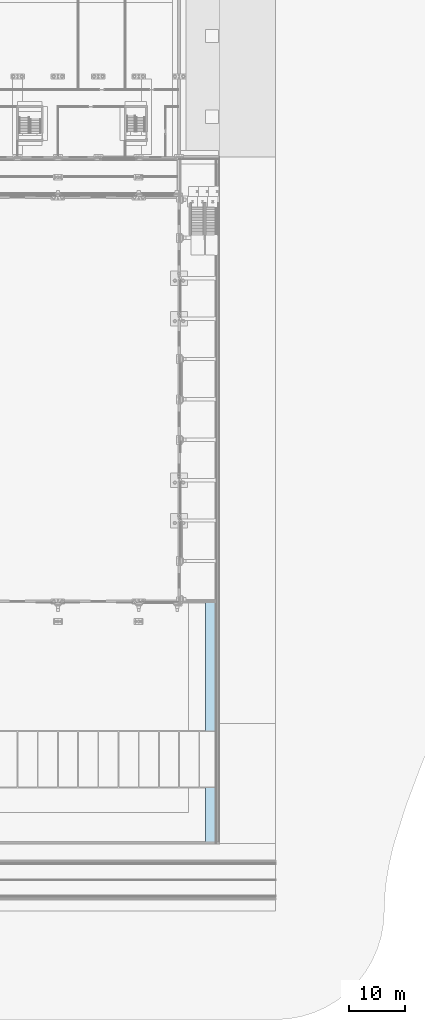
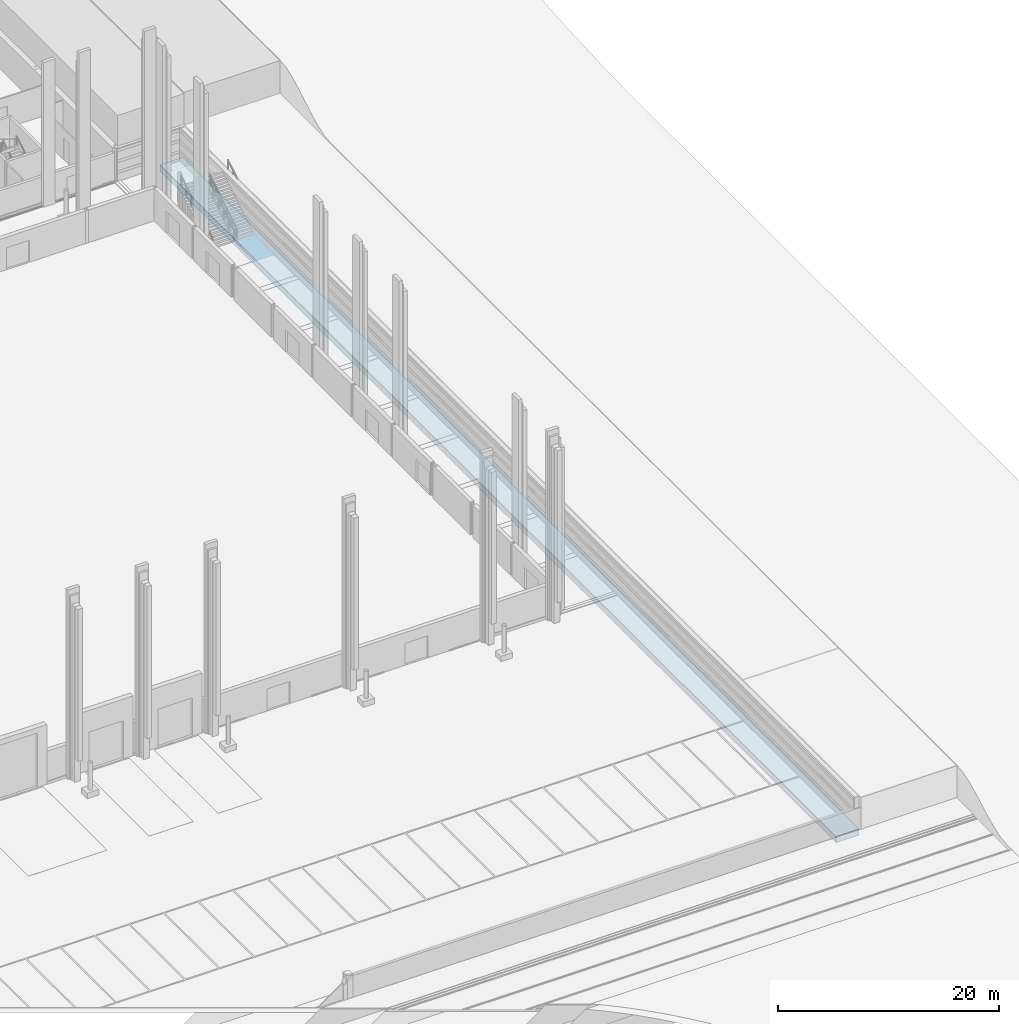
# One storey, part 20 of 148: 1 footing.
"""IFC4 building model written with IfcOpenShell, lengths in metres."""

from ifc_helpers import new_model, si_unit, direction, frame, origin, origin_2d, place, context, subcontext, project, spatial, rectangle, extrude, material, layer, layer_set, type_object, element, save


model = new_model("IFC4")

# Units and contexts
model_context = context("Model", 3, precision=1e-05, world=origin(), true_north=direction((0.0, 1.0)))
body_context = subcontext(model_context, "Body", "Model", "MODEL_VIEW")
ifc_project = project(units=[si_unit("LENGTHUNIT", "METRE"), si_unit("AREAUNIT", "SQUARE_METRE"), si_unit("VOLUMEUNIT", "CUBIC_METRE"), si_unit("PLANEANGLEUNIT", "RADIAN"), si_unit("MASSUNIT", "GRAM", prefix="KILO")], contexts=[model_context])

# Site, building, storey
site_placement = place(None, origin())
site = spatial("IfcSite", under=ifc_project, at=site_placement, CompositionType="ELEMENT")
building_placement = place(site_placement, origin())
building = spatial("IfcBuilding", under=site, at=building_placement, Name="Kupolbacken Congress Centre", CompositionType="ELEMENT")
storey_placement = place(building_placement, origin())
storey = spatial("IfcBuildingStorey", under=building, at=storey_placement, Name="L00", CompositionType="ELEMENT", Elevation=0.0)

# Footing
ifc_material = material(Name="Concrete C30/37", Category="concrete")
ifc_layer = layer(ifc_material, 0.699951171875)
ifc_layer_set = layer_set([ifc_layer], Name="Concrete C30/37")
footing_type = type_object("IfcFootingType", Name="SF3 strip footing 2.40 x 0.70 m", PredefinedType="STRIP_FOOTING", material=ifc_layer_set)
footing_placement = place(storey_placement, frame((207.469970703125, 61.264892578125, -0.7001953125), z_axis=(0.0, 0.0, 1.0), x_axis=(0.0, 1.0, 0.0)))
element("IfcFooting", 1, at=footing_placement, inside=storey, type_object=footing_type, Name="S/rw/RW4/F", PredefinedType="STRIP_FOOTING", context=body_context, shape_type="SweptSolid", body=[
    extrude(rectangle(XDim=122.27001953125, YDim=2.39990234375, at=origin_2d()), origin(), (0.0, 0.0, 1.0), 0.699951171875),
])

save(model, "model.ifc")
